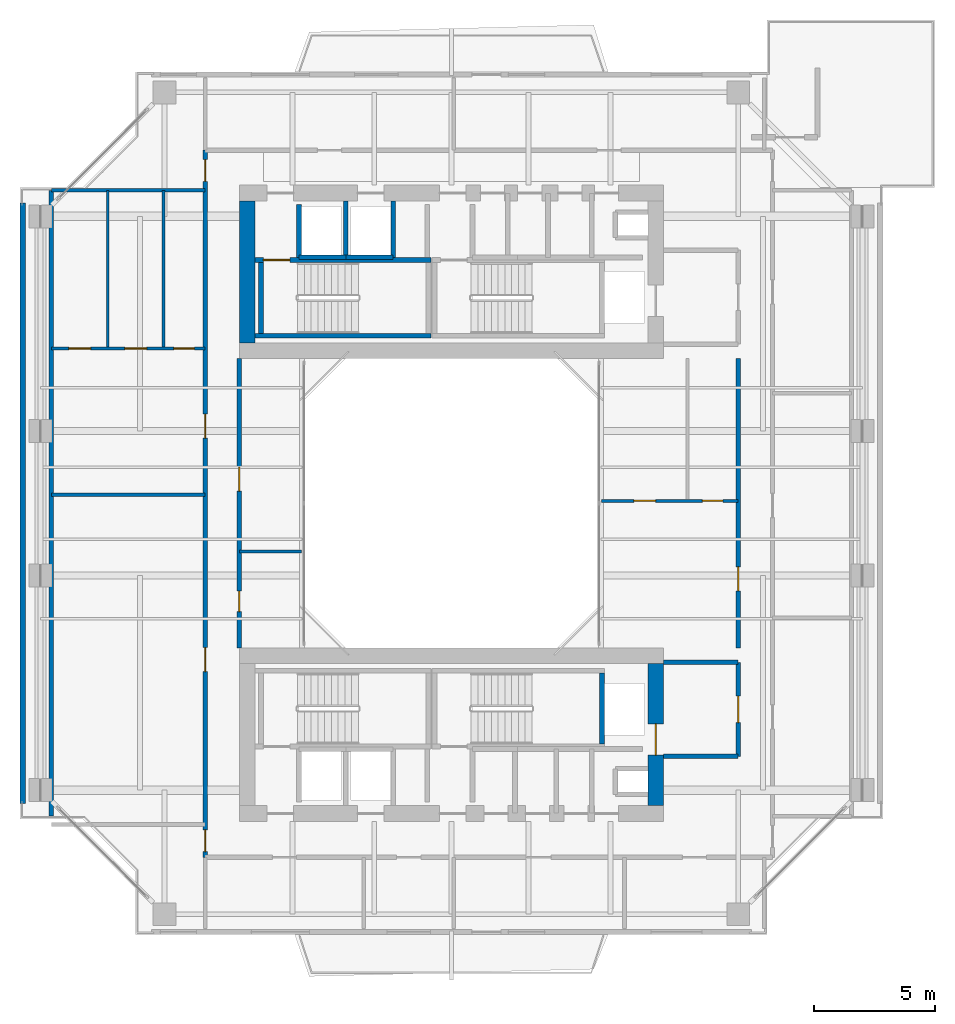
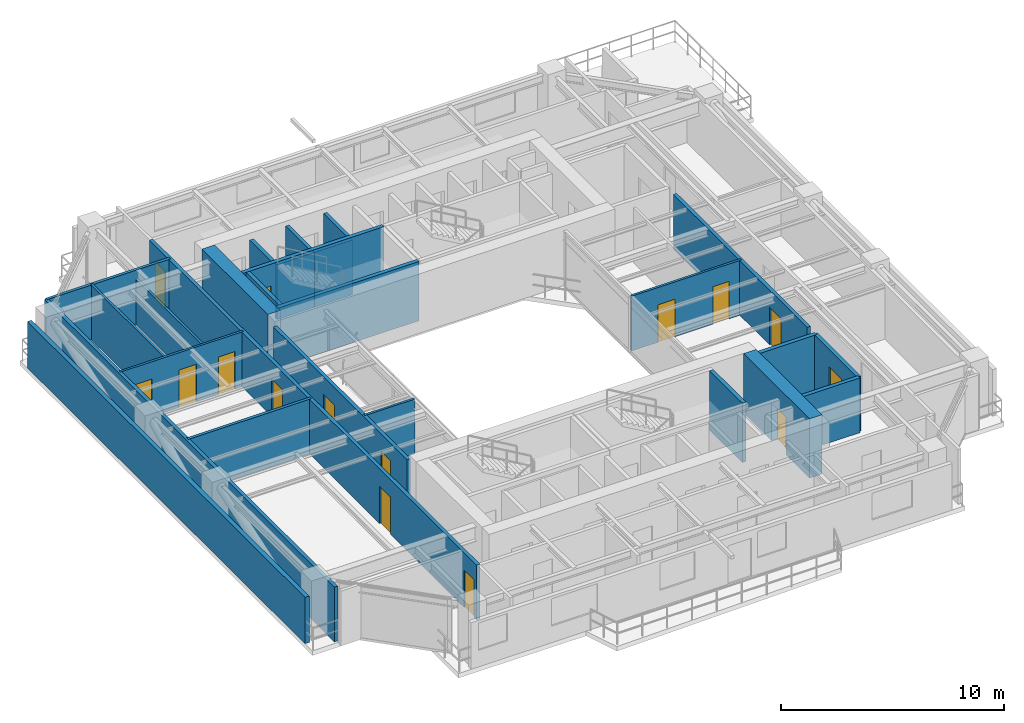
# One storey, part 9 of 14: 26 walls, 15 doors, 15 openings.
"""IFC4 building model written with IfcOpenShell, lengths in metres."""

from ifc_helpers import new_model, si_unit, direction, frame, frame_2d, origin, place, context, subcontext, project, spatial, rectangle, extrude, source, transform, mapped, material, layer, layer_set, type_object, element, fill, save


model = new_model("IFC4")

# Units and contexts
model_context = context("Model", 3, precision=1e-05, world=origin(), true_north=direction((0.0, 1.0)))
body_context = subcontext(model_context, "Body", "Model", "MODEL_VIEW")
ifc_project = project(units=[si_unit("LENGTHUNIT", "METRE"), si_unit("AREAUNIT", "SQUARE_METRE"), si_unit("VOLUMEUNIT", "CUBIC_METRE"), si_unit("PLANEANGLEUNIT", "RADIAN"), si_unit("MASSUNIT", "GRAM", prefix="KILO"), si_unit("THERMODYNAMICTEMPERATUREUNIT", "KELVIN"), si_unit("POWERUNIT", "WATT")], contexts=[model_context])

# Site, building, storey
site_placement = place(None, origin())
site = spatial("IfcSite", under=ifc_project, at=site_placement, CompositionType="ELEMENT")
building_placement = place(site_placement, origin())
building = spatial("IfcBuilding", under=site, at=building_placement, Name="Qiaomeng Ring Towers", CompositionType="ELEMENT")
storey_placement = place(building_placement, frame((0.0, 0.0, 173.0)))
storey = spatial("IfcBuildingStorey", under=building, at=storey_placement, Name="L50", CompositionType="ELEMENT", Elevation=173.0)

# Walls
ifc_material_1 = material(Name="Precast concrete C40", Category="concrete")
ifc_layer_1 = layer(ifc_material_1, 0.219970703125, Name="Precast concrete C40")
ifc_layer_set_1 = layer_set([ifc_layer_1], Name="Precast concrete C40")
wall_type_1 = type_object("IfcWallType", Name="ARC-WL-EW2", PredefinedType="STANDARD", material=ifc_layer_set_1)
wall_1_placement = place(storey_placement, frame((1.2099609375, 10.550048828125, 0.0), z_axis=(0.0, 0.0, 1.0), x_axis=(0.0, 1.0, 0.0)))
element("IfcWall", 1, at=wall_1_placement, inside=storey, type_object=wall_type_1, Name="L50 Tower 1 W Exterior Wall", PredefinedType="STANDARD", context=body_context, shape_type="SweptSolid", body=[
    extrude(rectangle(XDim=24.89990234375, YDim=0.219970703125, at=frame_2d((12.449951171875, 0.0))), origin(), (0.0, 0.0, 1.0), 2.5400390625),
])
ifc_material_2 = material(Name="Autoclaved aerated concrete block", Category="concrete")
ifc_layer_2 = layer(ifc_material_2, 0.199951171875, Name="Autoclaved aerated concrete block")
ifc_layer_set_2 = layer_set([ifc_layer_2], Name="Autoclaved aerated concrete block")
wall_type_2 = type_object("IfcWallType", Name="ARC-WL-PW1", PredefinedType="PARTITIONING", material=ifc_layer_set_2)
for number, where, z_axis, x_axis, name in (
    (2, (27.800048828125, 16.39990234375, 0.0), (0.0, 0.0, 1.0), (1.0, 0.0, 0.0), "L50 Interior Wall PW1"),
    (3, (27.800048828125, 12.5, 0.0), (0.0, 0.0, 1.0), (1.0, 0.0, 0.0), "L50 Interior Wall PW1"),
):
    element("IfcWall", number, at=place(storey_placement, frame(where, z_axis=z_axis, x_axis=x_axis)), inside=storey, type_object=wall_type_2, Name=name, PredefinedType="PARTITIONING", context=body_context, shape_type="SweptSolid", body=[
        extrude(rectangle(XDim=3.099853515625, YDim=0.199951171875, at=frame_2d((1.5498046875, 0.0))), origin(), (0.0, 0.0, 1.0), 3.0),
    ])

# Wall, opening, door
wall_2_placement = place(storey_placement, frame((30.89990234375, 12.5, 0.0), z_axis=(0.0, 0.0, 1.0), x_axis=(0.0, 1.0, 0.0)))
wall_2 = element("IfcWall", 4, at=wall_2_placement, inside=storey, type_object=wall_type_2, Name="L50 Interior Wall PW1", PredefinedType="PARTITIONING", context=body_context, shape_type="SweptSolid", body=[
    extrude(rectangle(XDim=3.89990234375, YDim=0.199951171875, at=frame_2d((1.949951171875, 0.0))), origin(), (0.0, 0.0, 1.0), 3.0),
])
opening_1_placement = place(wall_2_placement, frame((1.39990234375, 0.0, 0.0)))
opening_1 = element("IfcOpeningElement", 5, at=opening_1_placement, cuts=wall_2, Name="Opening FD3", PredefinedType="OPENING", context=body_context, shape_type="SweptSolid", body=[
    extrude(rectangle(XDim=1.10009765625, YDim=2.050048828125, at=frame_2d((0.550048828125, 1.02490234375))), frame((0.0, 0.10986328125, 0.0), z_axis=(0.0, -1.0, 0.0), x_axis=(1.0, 0.0, 0.0)), (0.0, 0.0, 1.0), 0.219970703125),
])
ifc_material_3 = material(Name="Galvanised steel", Category="steel")
door_type_1 = type_object("IfcDoorType", Name="ARC-DR-FD3", OperationType="NOTDEFINED", PredefinedType="DOOR", material=ifc_material_3)
shared_shape_1 = source(origin(), body_context, "Body", "SweptSolid", [
    extrude(rectangle(XDim=1.10009765625, YDim=2.050048828125, at=frame_2d((0.550048828125, 1.02490234375))), frame((0.0, 0.02490234375, 0.0), z_axis=(0.0, -1.0, 0.0), x_axis=(1.0, 0.0, 0.0)), (0.0, 0.0, 1.0), 0.050048828125),
])
door_1_placement = place(opening_1_placement, origin())
door_1 = element("IfcDoor", 6, at=door_1_placement, inside=storey, type_object=door_type_1, Name="L50 South FF Lobby Door", OperationType="SINGLE_SWING_LEFT", OverallHeight=2.050048828125, OverallWidth=1.10009765625, PredefinedType="DOOR", context=body_context, shape_type="MappedRepresentation", body=[
    mapped(shared_shape_1, transform((0.0, 0.0, 0.0), x_axis=(1.0, 0.0, 0.0), y_axis=(0.0, 1.0, 0.0), z_axis=(0.0, 0.0, 1.0), scale=1.0)),
])
fill(opening_1, door_1)

# Walls
wall_3_placement = place(storey_placement, frame((12.679931640625, 33.18994140625, 0.0), z_axis=(0.0, 0.0, 1.0), x_axis=(0.0, 1.0, 0.0)))
element("IfcWall", 7, at=wall_3_placement, inside=storey, type_object=wall_type_2, Name="L50 Interior Wall PW1", PredefinedType="PARTITIONING", context=body_context, shape_type="SweptSolid", body=[
    extrude(rectangle(XDim=2.2099609375, YDim=0.199951171875, at=frame_2d((1.10498046875, 0.0))), origin(), (0.0, 0.0, 1.0), 3.0),
])
ifc_layer_3 = layer(ifc_material_2, 0.179931640625, Name="Autoclaved aerated concrete block")
ifc_layer_set_3 = layer_set([ifc_layer_3], Name="Autoclaved aerated concrete block")
wall_type_3 = type_object("IfcWallType", Name="ARC-WL-PW2", PredefinedType="PARTITIONING", material=ifc_layer_set_3)
wall_4_placement = place(storey_placement, frame((2.39990234375, 10.02001953125, 0.0), z_axis=(0.0, 0.0, 1.0), x_axis=(0.0, 1.0, 0.0)))
element("IfcWall", 8, at=wall_4_placement, inside=storey, type_object=wall_type_3, Name="L50 Interior Wall PW2", PredefinedType="PARTITIONING", context=body_context, shape_type="SweptSolid", body=[
    extrude(rectangle(XDim=25.9599609375, YDim=0.179931640625, at=frame_2d((12.97998046875, 0.0))), origin(), (0.0, 0.0, 1.0), 3.0),
])

# Wall, openings, doors
wall_5_placement = place(storey_placement, frame((8.780029296875, 8.31005859375, 0.0), z_axis=(0.0, 0.0, 1.0), x_axis=(0.0, 1.0, 0.0)))
wall_5 = element("IfcWall", 9, at=wall_5_placement, inside=storey, type_object=wall_type_3, Name="L50 Interior Wall PW2", PredefinedType="PARTITIONING", context=body_context, shape_type="SweptSolid", body=[
    extrude(rectangle(XDim=29.33984375, YDim=0.179931640625, at=frame_2d((14.669921875, 0.0))), origin(), (0.0, 0.0, 1.0), 3.0),
])
opening_2_placement = place(wall_5_placement, frame((28.044921875, 0.0, 0.0)))
opening_2 = element("IfcOpeningElement", 10, at=opening_2_placement, cuts=wall_5, Name="Opening ID1", PredefinedType="OPENING", context=body_context, shape_type="SweptSolid", body=[
    extrude(rectangle(XDim=0.89990234375, YDim=2.050048828125, at=frame_2d((0.449951171875, 1.02490234375))), frame((0.0, 0.099853515625, 0.0), z_axis=(0.0, -1.0, 0.0), x_axis=(1.0, 0.0, 0.0)), (0.0, 0.0, 1.0), 0.199951171875),
])
opening_3_placement = place(wall_5_placement, frame((0.239990234375, 0.0, 0.0)))
opening_3 = element("IfcOpeningElement", 11, at=opening_3_placement, cuts=wall_5, Name="Opening ID1", PredefinedType="OPENING", context=body_context, shape_type="SweptSolid", body=[
    extrude(rectangle(XDim=0.89990234375, YDim=2.050048828125, at=frame_2d((0.449951171875, 1.02490234375))), frame((0.0, 0.099853515625, 0.0), z_axis=(0.0, -1.0, 0.0), x_axis=(1.0, 0.0, 0.0)), (0.0, 0.0, 1.0), 0.199951171875),
])
opening_4_placement = place(wall_5_placement, frame((7.705078125, 0.0, 0.0)))
opening_4 = element("IfcOpeningElement", 12, at=opening_4_placement, cuts=wall_5, Name="Opening FD4", PredefinedType="OPENING", context=body_context, shape_type="SweptSolid", body=[
    extrude(rectangle(XDim=1.0, YDim=2.050048828125, at=frame_2d((0.5, 1.02490234375))), frame((0.0, 0.099853515625, 0.0), z_axis=(0.0, -1.0, 0.0), x_axis=(1.0, 0.0, 0.0)), (0.0, 0.0, 1.0), 0.199951171875),
])
opening_5_placement = place(wall_5_placement, frame((17.389892578125, 0.0, 0.0)))
opening_5 = element("IfcOpeningElement", 13, at=opening_5_placement, cuts=wall_5, Name="Opening FD4", PredefinedType="OPENING", context=body_context, shape_type="SweptSolid", body=[
    extrude(rectangle(XDim=1.0, YDim=2.050048828125, at=frame_2d((0.5, 1.02490234375))), frame((0.0, 0.099853515625, 0.0), z_axis=(0.0, -1.0, 0.0), x_axis=(1.0, 0.0, 0.0)), (0.0, 0.0, 1.0), 0.199951171875),
])
ifc_material_4 = material(Name="Engineered fire-rated oak timber", Category="wood")
door_type_2 = type_object("IfcDoorType", Name="ARC-DR-FD4", OperationType="NOTDEFINED", PredefinedType="DOOR", material=ifc_material_4)
shared_shape_2 = source(origin(), body_context, "Body", "SweptSolid", [
    extrude(rectangle(XDim=1.0, YDim=2.050048828125, at=frame_2d((0.5, 1.02490234375))), frame((0.0, 0.02490234375, 0.0), z_axis=(0.0, -1.0, 0.0), x_axis=(1.0, 0.0, 0.0)), (0.0, 0.0, 1.0), 0.050048828125),
])
door_2_placement = place(opening_4_placement, origin())
door_2 = element("IfcDoor", 14, at=door_2_placement, inside=storey, type_object=door_type_2, Name="L50 Door FD4", OperationType="SINGLE_SWING_RIGHT", OverallHeight=2.050048828125, OverallWidth=1.0, PredefinedType="DOOR", context=body_context, shape_type="MappedRepresentation", body=[
    mapped(shared_shape_2, transform((0.0, 0.0, 0.0), x_axis=(1.0, 0.0, 0.0), y_axis=(0.0, 1.0, 0.0), z_axis=(0.0, 0.0, 1.0), scale=1.0)),
])
fill(opening_4, door_2)
door_3_placement = place(opening_5_placement, origin())
door_3 = element("IfcDoor", 15, at=door_3_placement, inside=storey, type_object=door_type_2, Name="L50 Door FD4", OperationType="SINGLE_SWING_RIGHT", OverallHeight=2.050048828125, OverallWidth=1.0, PredefinedType="DOOR", context=body_context, shape_type="MappedRepresentation", body=[
    mapped(shared_shape_2, transform((0.0, 0.0, 0.0), x_axis=(1.0, 0.0, 0.0), y_axis=(0.0, 1.0, 0.0), z_axis=(0.0, 0.0, 1.0), scale=1.0)),
])
fill(opening_5, door_3)
ifc_material_5 = material(Name="Engineered oak timber", Category="wood")
door_type_3 = type_object("IfcDoorType", Name="ARC-DR-ID1", OperationType="NOTDEFINED", PredefinedType="DOOR", material=ifc_material_5)
shared_shape_3 = source(origin(), body_context, "Body", "SweptSolid", [
    extrude(rectangle(XDim=0.89990234375, YDim=2.050048828125, at=frame_2d((0.449951171875, 1.02490234375))), frame((0.0, 0.02490234375, 0.0), z_axis=(0.0, -1.0, 0.0), x_axis=(1.0, 0.0, 0.0)), (0.0, 0.0, 1.0), 0.050048828125),
])
door_4_placement = place(opening_2_placement, origin())
door_4 = element("IfcDoor", 16, at=door_4_placement, inside=storey, type_object=door_type_3, Name="L50 Door ID1", OperationType="SINGLE_SWING_RIGHT", OverallHeight=2.050048828125, OverallWidth=0.89990234375, PredefinedType="DOOR", context=body_context, shape_type="MappedRepresentation", body=[
    mapped(shared_shape_3, transform((0.0, 0.0, 0.0), x_axis=(1.0, 0.0, 0.0), y_axis=(0.0, 1.0, 0.0), z_axis=(0.0, 0.0, 1.0), scale=1.0)),
])
fill(opening_2, door_4)
door_5_placement = place(opening_3_placement, origin())
door_5 = element("IfcDoor", 17, at=door_5_placement, inside=storey, type_object=door_type_3, Name="L50 Door ID1", OperationType="SINGLE_SWING_LEFT", OverallHeight=2.050048828125, OverallWidth=0.89990234375, PredefinedType="DOOR", context=body_context, shape_type="MappedRepresentation", body=[
    mapped(shared_shape_3, transform((0.0, 0.0, 0.0), x_axis=(1.0, 0.0, 0.0), y_axis=(0.0, 1.0, 0.0), z_axis=(0.0, 0.0, 1.0), scale=1.0)),
])
fill(opening_3, door_5)

wall_6_placement = place(storey_placement, frame((10.199951171875, 17.0, 0.0), z_axis=(0.0, 0.0, 1.0), x_axis=(0.0, 1.0, 0.0)))
wall_6 = element("IfcWall", 18, at=wall_6_placement, inside=storey, type_object=wall_type_3, Name="L50 Interior Wall PW2", PredefinedType="PARTITIONING", context=body_context, shape_type="SweptSolid", body=[
    extrude(rectangle(XDim=12.0, YDim=0.179931640625, at=frame_2d((6.0, 0.0))), origin(), (0.0, 0.0, 1.0), 3.0),
])
opening_6_placement = place(wall_6_placement, frame((1.5, 0.0, 0.0)))
opening_6 = element("IfcOpeningElement", 19, at=opening_6_placement, cuts=wall_6, Name="Opening ID2", PredefinedType="OPENING", context=body_context, shape_type="SweptSolid", body=[
    extrude(rectangle(XDim=0.85009765625, YDim=2.050048828125, at=frame_2d((0.425048828125, 1.02490234375))), frame((0.0, 0.099853515625, 0.0), z_axis=(0.0, -1.0, 0.0), x_axis=(1.0, 0.0, 0.0)), (0.0, 0.0, 1.0), 0.199951171875),
])
opening_7_placement = place(wall_6_placement, frame((6.5, 0.0, 0.0)))
opening_7 = element("IfcOpeningElement", 20, at=opening_7_placement, cuts=wall_6, Name="Opening FD4", PredefinedType="OPENING", context=body_context, shape_type="SweptSolid", body=[
    extrude(rectangle(XDim=1.0, YDim=2.050048828125, at=frame_2d((0.5, 1.02490234375))), frame((0.0, 0.099853515625, 0.0), z_axis=(0.0, -1.0, 0.0), x_axis=(1.0, 0.0, 0.0)), (0.0, 0.0, 1.0), 0.199951171875),
])
door_6_placement = place(opening_7_placement, origin())
door_6 = element("IfcDoor", 21, at=door_6_placement, inside=storey, type_object=door_type_2, Name="L50 Door FD4", OperationType="SINGLE_SWING_RIGHT", OverallHeight=2.050048828125, OverallWidth=1.0, PredefinedType="DOOR", context=body_context, shape_type="MappedRepresentation", body=[
    mapped(shared_shape_2, transform((0.0, 0.0, 0.0), x_axis=(1.0, 0.0, 0.0), y_axis=(0.0, 1.0, 0.0), z_axis=(0.0, 0.0, 1.0), scale=1.0)),
])
fill(opening_7, door_6)
ifc_material_6 = material(Name="Moisture-resistant engineered timber", Category="wood")
door_type_4 = type_object("IfcDoorType", Name="ARC-DR-ID2", OperationType="NOTDEFINED", PredefinedType="DOOR", material=ifc_material_6)
shared_shape_4 = source(origin(), body_context, "Body", "SweptSolid", [
    extrude(rectangle(XDim=0.85009765625, YDim=2.050048828125, at=frame_2d((0.425048828125, 1.02490234375))), frame((0.0, 0.02490234375, 0.0), z_axis=(0.0, -1.0, 0.0), x_axis=(1.0, 0.0, 0.0)), (0.0, 0.0, 1.0), 0.050048828125),
])
door_7_placement = place(opening_6_placement, origin())
door_7 = element("IfcDoor", 22, at=door_7_placement, inside=storey, type_object=door_type_4, Name="L50 Door ID2", OperationType="SINGLE_SWING_LEFT", OverallHeight=2.050048828125, OverallWidth=0.85009765625, PredefinedType="DOOR", context=body_context, shape_type="MappedRepresentation", body=[
    mapped(shared_shape_4, transform((0.0, 0.0, 0.0), x_axis=(1.0, 0.0, 0.0), y_axis=(0.0, 1.0, 0.0), z_axis=(0.0, 0.0, 1.0), scale=1.0)),
])
fill(opening_6, door_7)

# Wall, opening, door
wall_7_placement = place(storey_placement, frame((30.89990234375, 17.0, 0.0), z_axis=(0.0, 0.0, 1.0), x_axis=(0.0, 1.0, 0.0)))
wall_7 = element("IfcWall", 23, at=wall_7_placement, inside=storey, type_object=wall_type_3, Name="L50 Interior Wall PW2", PredefinedType="PARTITIONING", context=body_context, shape_type="SweptSolid", body=[
    extrude(rectangle(XDim=12.0, YDim=0.179931640625, at=frame_2d((6.0, 0.0))), origin(), (0.0, 0.0, 1.0), 3.0),
])
opening_8_placement = place(wall_7_placement, frame((2.360107421875, 0.0, 0.0)))
opening_8 = element("IfcOpeningElement", 24, at=opening_8_placement, cuts=wall_7, Name="Opening FD4", PredefinedType="OPENING", context=body_context, shape_type="SweptSolid", body=[
    extrude(rectangle(XDim=1.0, YDim=2.050048828125, at=frame_2d((0.5, 1.02490234375))), frame((0.0, 0.099853515625, 0.0), z_axis=(0.0, -1.0, 0.0), x_axis=(1.0, 0.0, 0.0)), (0.0, 0.0, 1.0), 0.199951171875),
])
door_8_placement = place(opening_8_placement, origin())
door_8 = element("IfcDoor", 25, at=door_8_placement, inside=storey, type_object=door_type_2, Name="L50 Door FD4", OperationType="SINGLE_SWING_RIGHT", OverallHeight=2.050048828125, OverallWidth=1.0, PredefinedType="DOOR", context=body_context, shape_type="MappedRepresentation", body=[
    mapped(shared_shape_2, transform((0.0, 0.0, 0.0), x_axis=(1.0, 0.0, 0.0), y_axis=(0.0, 1.0, 0.0), z_axis=(0.0, 0.0, 1.0), scale=1.0)),
])
fill(opening_8, door_8)

# Walls
ifc_material_7 = material(Name="Gypsum fireboard steel-stud partition", Category="steel")
ifc_layer_4 = layer(ifc_material_7, 0.14990234375, Name="Gypsum fireboard steel-stud partition")
ifc_layer_set_4 = layer_set([ifc_layer_4], Name="Gypsum fireboard steel-stud partition")
wall_type_4 = type_object("IfcWallType", Name="ARC-WL-PW3", PredefinedType="PARTITIONING", material=ifc_layer_set_4)
for number, where, z_axis, x_axis, name in (
    (26, (2.39990234375, 35.97998046875, 0.0), (0.0, 0.0, 1.0), (1.0, 0.0, 0.0), "L50 Interior Wall PW3"),
    (27, (2.39990234375, 23.360107421875, 0.0), (0.0, 0.0, 1.0), (1.0, 0.0, 0.0), "L50 Interior Wall PW3"),
):
    element("IfcWall", number, at=place(storey_placement, frame(where, z_axis=z_axis, x_axis=x_axis)), inside=storey, type_object=wall_type_4, Name=name, PredefinedType="PARTITIONING", context=body_context, shape_type="SweptSolid", body=[
        extrude(rectangle(XDim=6.380126953125, YDim=0.14990234375, at=frame_2d((3.18994140625, 0.0))), origin(), (0.0, 0.0, 1.0), 3.0),
    ])

# Wall, openings, doors
ifc_material_8 = material(Name="Moisture-resistant gypsum steel-stud partition", Category="steel")
ifc_layer_5 = layer(ifc_material_8, 0.1201171875, Name="Moisture-resistant gypsum steel-stud partition")
ifc_layer_set_5 = layer_set([ifc_layer_5], Name="Moisture-resistant gypsum steel-stud partition")
wall_type_5 = type_object("IfcWallType", Name="ARC-WL-PW4", PredefinedType="PLUMBINGWALL", material=ifc_layer_set_5)
wall_8_placement = place(storey_placement, frame((2.39990234375, 29.419921875, 0.0), z_axis=(0.0, 0.0, 1.0), x_axis=(1.0, 0.0, 0.0)))
wall_8 = element("IfcWall", 28, at=wall_8_placement, inside=storey, type_object=wall_type_5, Name="L50 Interior Wall PW4", PredefinedType="PLUMBINGWALL", context=body_context, shape_type="SweptSolid", body=[
    extrude(rectangle(XDim=6.380126953125, YDim=0.1201171875, at=frame_2d((3.18994140625, 0.0))), origin(), (0.0, 0.0, 1.0), 3.0),
])
opening_9_placement = place(wall_8_placement, frame((0.72998046875, 0.0, 0.0)))
opening_9 = element("IfcOpeningElement", 29, at=opening_9_placement, cuts=wall_8, Name="Opening ID1", PredefinedType="OPENING", context=body_context, shape_type="SweptSolid", body=[
    extrude(rectangle(XDim=0.89990234375, YDim=2.050048828125, at=frame_2d((0.449951171875, 1.02490234375))), frame((0.0, 0.070068359375, 0.0), z_axis=(0.0, -1.0, 0.0), x_axis=(1.0, 0.0, 0.0)), (0.0, 0.0, 1.0), 0.14013671875),
])
opening_10_placement = place(wall_8_placement, frame((3.050048828125, 0.0, 0.0)))
opening_10 = element("IfcOpeningElement", 30, at=opening_10_placement, cuts=wall_8, Name="Opening ID1", PredefinedType="OPENING", context=body_context, shape_type="SweptSolid", body=[
    extrude(rectangle(XDim=0.89990234375, YDim=2.050048828125, at=frame_2d((0.449951171875, 1.02490234375))), frame((0.0, 0.070068359375, 0.0), z_axis=(0.0, -1.0, 0.0), x_axis=(1.0, 0.0, 0.0)), (0.0, 0.0, 1.0), 0.14013671875),
])
opening_11_placement = place(wall_8_placement, frame((5.0849609375, 0.0, 0.0)))
opening_11 = element("IfcOpeningElement", 31, at=opening_11_placement, cuts=wall_8, Name="Opening ID2", PredefinedType="OPENING", context=body_context, shape_type="SweptSolid", body=[
    extrude(rectangle(XDim=0.85009765625, YDim=2.050048828125, at=frame_2d((0.425048828125, 1.02490234375))), frame((0.0, 0.070068359375, 0.0), z_axis=(0.0, -1.0, 0.0), x_axis=(1.0, 0.0, 0.0)), (0.0, 0.0, 1.0), 0.14013671875),
])
door_9_placement = place(opening_11_placement, origin())
door_9 = element("IfcDoor", 32, at=door_9_placement, inside=storey, type_object=door_type_4, Name="L50 Door ID2", OperationType="SINGLE_SWING_LEFT", OverallHeight=2.050048828125, OverallWidth=0.85009765625, PredefinedType="DOOR", context=body_context, shape_type="MappedRepresentation", body=[
    mapped(shared_shape_4, transform((0.0, 0.0, 0.0), x_axis=(1.0, 0.0, 0.0), y_axis=(0.0, 1.0, 0.0), z_axis=(0.0, 0.0, 1.0), scale=1.0)),
])
fill(opening_11, door_9)
door_10_placement = place(opening_9_placement, origin())
door_10 = element("IfcDoor", 33, at=door_10_placement, inside=storey, type_object=door_type_3, Name="L50 Door ID1", OperationType="SINGLE_SWING_LEFT", OverallHeight=2.050048828125, OverallWidth=0.89990234375, PredefinedType="DOOR", context=body_context, shape_type="MappedRepresentation", body=[
    mapped(shared_shape_3, transform((0.0, 0.0, 0.0), x_axis=(1.0, 0.0, 0.0), y_axis=(0.0, 1.0, 0.0), z_axis=(0.0, 0.0, 1.0), scale=1.0)),
])
fill(opening_9, door_10)
door_11_placement = place(opening_10_placement, origin())
door_11 = element("IfcDoor", 34, at=door_11_placement, inside=storey, type_object=door_type_3, Name="L50 Door ID1", OperationType="SINGLE_SWING_RIGHT", OverallHeight=2.050048828125, OverallWidth=0.89990234375, PredefinedType="DOOR", context=body_context, shape_type="MappedRepresentation", body=[
    mapped(shared_shape_3, transform((0.0, 0.0, 0.0), x_axis=(1.0, 0.0, 0.0), y_axis=(0.0, 1.0, 0.0), z_axis=(0.0, 0.0, 1.0), scale=1.0)),
])
fill(opening_10, door_11)

# Walls
wall_9_placement = place(storey_placement, frame((4.739990234375, 29.419921875, 0.0), z_axis=(0.0, 0.0, 1.0), x_axis=(0.0, 1.0, 0.0)))
element("IfcWall", 35, at=wall_9_placement, inside=storey, type_object=wall_type_5, Name="L50 Interior Wall PW4", PredefinedType="PLUMBINGWALL", context=body_context, shape_type="SweptSolid", body=[
    extrude(rectangle(XDim=6.56005859375, YDim=0.1201171875, at=frame_2d((3.280029296875, 0.0))), origin(), (0.0, 0.0, 1.0), 3.0),
])
wall_10_placement = place(storey_placement, frame((7.06005859375, 29.419921875, 0.0), z_axis=(0.0, 0.0, 1.0), x_axis=(0.0, 1.0, 0.0)))
element("IfcWall", 36, at=wall_10_placement, inside=storey, type_object=wall_type_5, Name="L50 Interior Wall PW4", PredefinedType="PLUMBINGWALL", context=body_context, shape_type="SweptSolid", body=[
    extrude(rectangle(XDim=6.56005859375, YDim=0.1201171875, at=frame_2d((3.280029296875, 0.0))), origin(), (0.0, 0.0, 1.0), 2.4951171875),
])
wall_11_placement = place(storey_placement, frame((10.199951171875, 21.0, 0.0), z_axis=(0.0, 0.0, 1.0), x_axis=(1.0, 0.0, 0.0)))
element("IfcWall", 37, at=wall_11_placement, inside=storey, type_object=wall_type_5, Name="L50 Interior Wall PW4", PredefinedType="PLUMBINGWALL", context=body_context, shape_type="SweptSolid", body=[
    extrude(rectangle(XDim=2.580078125, YDim=0.1201171875, at=frame_2d((1.2900390625, 0.0))), origin(), (0.0, 0.0, 1.0), 3.0),
])

# Wall, openings, doors
wall_12_placement = place(storey_placement, frame((25.219970703125, 23.10009765625, 0.0), z_axis=(0.0, 0.0, 1.0), x_axis=(1.0, 0.0, 0.0)))
wall_12 = element("IfcWall", 38, at=wall_12_placement, inside=storey, type_object=wall_type_5, Name="L50 Interior Wall PW4", PredefinedType="PLUMBINGWALL", context=body_context, shape_type="SweptSolid", body=[
    extrude(rectangle(XDim=5.679931640625, YDim=0.1201171875, at=frame_2d((2.83984375, 0.0))), origin(), (0.0, 0.0, 1.0), 3.0),
])
opening_12_placement = place(wall_12_placement, frame((1.35009765625, 0.0, 0.0)))
opening_12 = element("IfcOpeningElement", 39, at=opening_12_placement, cuts=wall_12, Name="Opening ID1", PredefinedType="OPENING", context=body_context, shape_type="SweptSolid", body=[
    extrude(rectangle(XDim=0.89990234375, YDim=2.050048828125, at=frame_2d((0.449951171875, 1.02490234375))), frame((0.0, 0.070068359375, 0.0), z_axis=(0.0, -1.0, 0.0), x_axis=(1.0, 0.0, 0.0)), (0.0, 0.0, 1.0), 0.14013671875),
])
opening_13_placement = place(wall_12_placement, frame((4.195068359375, 0.0, 0.0)))
opening_13 = element("IfcOpeningElement", 40, at=opening_13_placement, cuts=wall_12, Name="Opening ID2", PredefinedType="OPENING", context=body_context, shape_type="SweptSolid", body=[
    extrude(rectangle(XDim=0.85009765625, YDim=2.050048828125, at=frame_2d((0.425048828125, 1.02490234375))), frame((0.0, 0.070068359375, 0.0), z_axis=(0.0, -1.0, 0.0), x_axis=(1.0, 0.0, 0.0)), (0.0, 0.0, 1.0), 0.14013671875),
])
door_12_placement = place(opening_13_placement, origin())
door_12 = element("IfcDoor", 41, at=door_12_placement, inside=storey, type_object=door_type_4, Name="L50 Door ID2", OperationType="SINGLE_SWING_LEFT", OverallHeight=2.050048828125, OverallWidth=0.85009765625, PredefinedType="DOOR", context=body_context, shape_type="MappedRepresentation", body=[
    mapped(shared_shape_4, transform((0.0, 0.0, 0.0), x_axis=(1.0, 0.0, 0.0), y_axis=(0.0, 1.0, 0.0), z_axis=(0.0, 0.0, 1.0), scale=1.0)),
])
fill(opening_13, door_12)
door_13_placement = place(opening_12_placement, origin())
door_13 = element("IfcDoor", 42, at=door_13_placement, inside=storey, type_object=door_type_3, Name="L50 Door ID1", OperationType="SINGLE_SWING_RIGHT", OverallHeight=2.050048828125, OverallWidth=0.89990234375, PredefinedType="DOOR", context=body_context, shape_type="MappedRepresentation", body=[
    mapped(shared_shape_3, transform((0.0, 0.0, 0.0), x_axis=(1.0, 0.0, 0.0), y_axis=(0.0, 1.0, 0.0), z_axis=(0.0, 0.0, 1.0), scale=1.0)),
])
fill(opening_12, door_13)

# Walls
ifc_material_9 = material(Name="Concrete C40", Category="concrete")
ifc_layer_6 = layer(ifc_material_9, 0.199951171875, Name="Concrete C40")
ifc_layer_set_6 = layer_set([ifc_layer_6], Name="Concrete C40")
wall_type_6 = type_object("IfcWallType", Name="STR-WL-STSHAFT", PredefinedType="SHEAR", material=ifc_layer_set_6)
wall_13_placement = place(storey_placement, frame((12.679931640625, 33.199951171875, 0.0), z_axis=(0.0, 0.0, 1.0), x_axis=(1.0, 0.0, 0.0)))
element("IfcWall", 43, at=wall_13_placement, inside=storey, type_object=wall_type_6, Name="L50 Lift LP5 Shaft Back Wall", PredefinedType="SHEAR", context=body_context, shape_type="SweptSolid", body=[
    extrude(rectangle(XDim=1.940185546875, YDim=0.179931640625, at=frame_2d((0.97021484375, 0.0))), origin(), (0.0, 0.0, 1.0), 3.0),
])
wall_14_placement = place(storey_placement, frame((14.6201171875, 33.199951171875, 0.0), z_axis=(0.0, 0.0, 1.0), x_axis=(0.0, 1.0, 0.0)))
element("IfcWall", 44, at=wall_14_placement, inside=storey, type_object=wall_type_6, Name="L50 Lift LP5-LP3 Shaft Divider Wall", PredefinedType="SHEAR", context=body_context, shape_type="SweptSolid", body=[
    extrude(rectangle(XDim=2.35009765625, YDim=0.179931640625, at=frame_2d((1.175048828125, 0.0))), origin(), (0.0, 0.0, 1.0), 3.0),
])
wall_15_placement = place(storey_placement, frame((14.6201171875, 33.199951171875, 0.0), z_axis=(0.0, 0.0, 1.0), x_axis=(1.0, 0.0, 0.0)))
element("IfcWall", 45, at=wall_15_placement, inside=storey, type_object=wall_type_6, Name="L50 Lift LP3 Shaft Back Wall", PredefinedType="SHEAR", context=body_context, shape_type="SweptSolid", body=[
    extrude(rectangle(XDim=1.9599609375, YDim=0.179931640625, at=frame_2d((0.97998046875, 0.0))), origin(), (0.0, 0.0, 1.0), 3.0),
])
wall_16_placement = place(storey_placement, frame((16.580078125, 33.199951171875, 0.0), z_axis=(0.0, 0.0, 1.0), x_axis=(0.0, 1.0, 0.0)))
element("IfcWall", 46, at=wall_16_placement, inside=storey, type_object=wall_type_6, Name="L50 Lift LP3 East Shaft Wall", PredefinedType="SHEAR", context=body_context, shape_type="SweptSolid", body=[
    extrude(rectangle(XDim=2.35009765625, YDim=0.179931640625, at=frame_2d((1.175048828125, 0.0))), origin(), (0.0, 0.0, 1.0), 3.0),
])
wall_17_placement = place(storey_placement, frame((10.85009765625, 29.949951171875, 0.0), z_axis=(0.0, 0.0, 1.0), x_axis=(1.0, 0.0, 0.0)))
element("IfcWall", 47, at=wall_17_placement, inside=storey, type_object=wall_type_6, Name="L50 Stair ST1 South Shaft Shear Wall", PredefinedType="SHEAR", context=body_context, shape_type="SweptSolid", body=[
    extrude(rectangle(XDim=7.2998046875, YDim=0.199951171875, at=frame_2d((3.64990234375, 0.0))), origin(), (0.0, 0.0, 1.0), 3.25),
])

# Wall, opening, door
wall_18_placement = place(storey_placement, frame((10.85009765625, 33.090087890625, 0.0), z_axis=(0.0, 0.0, 1.0), x_axis=(1.0, 0.0, 0.0)))
wall_18 = element("IfcWall", 48, at=wall_18_placement, inside=storey, type_object=wall_type_6, Name="L50 Stair ST1 North Shaft Shear Wall", PredefinedType="SHEAR", context=body_context, shape_type="SweptSolid", body=[
    extrude(rectangle(XDim=7.2998046875, YDim=0.199951171875, at=frame_2d((3.64990234375, 0.0))), origin(), (0.0, 0.0, 1.0), 3.25),
])
opening_14_placement = place(wall_18_placement, frame((0.35009765625, 0.0, 0.0)))
opening_14 = element("IfcOpeningElement", 49, at=opening_14_placement, cuts=wall_18, Name="Opening FD3", PredefinedType="OPENING", context=body_context, shape_type="SweptSolid", body=[
    extrude(rectangle(XDim=1.10009765625, YDim=2.050048828125, at=frame_2d((0.550048828125, 1.02490234375))), frame((0.0, 0.10986328125, 0.0), z_axis=(0.0, -1.0, 0.0), x_axis=(1.0, 0.0, 0.0)), (0.0, 0.0, 1.0), 0.219970703125),
])
door_14_placement = place(opening_14_placement, origin())
door_14 = element("IfcDoor", 50, at=door_14_placement, inside=storey, type_object=door_type_1, Name="L50 Stair ST1 Exit Door", OperationType="SINGLE_SWING_LEFT", OverallHeight=2.050048828125, OverallWidth=1.10009765625, PredefinedType="DOOR", context=body_context, shape_type="MappedRepresentation", body=[
    mapped(shared_shape_1, transform((0.0, 0.0, 0.0), x_axis=(1.0, 0.0, 0.0), y_axis=(0.0, 1.0, 0.0), z_axis=(0.0, 0.0, 1.0), scale=1.0)),
])
fill(opening_14, door_14)

# Walls
for number, where, z_axis, x_axis, name in (
    (51, (11.10009765625, 30.050048828125, 0.0), (0.0, 0.0, 1.0), (0.0, 1.0, 0.0), "L50 Stair ST1 West Shaft Shear Wall"),
    (52, (25.25, 13.010009765625, 0.0), (0.0, 0.0, 1.0), (0.0, 1.0, 0.0), "L50 Stair ST4 East Shaft Shear Wall"),
):
    element("IfcWall", number, at=place(storey_placement, frame(where, z_axis=z_axis, x_axis=x_axis)), inside=storey, type_object=wall_type_6, Name=name, PredefinedType="SHEAR", context=body_context, shape_type="SweptSolid", body=[
        extrude(rectangle(XDim=2.93994140625, YDim=0.199951171875, at=frame_2d((1.469970703125, 0.0))), origin(), (0.0, 0.0, 1.0), 3.25),
    ])
ifc_material_10 = material(Name="Concrete C50", Category="concrete")
ifc_layer_7 = layer(ifc_material_10, 0.64990234375, Name="Concrete C50")
ifc_layer_set_7 = layer_set([ifc_layer_7], Name="Concrete C50")
wall_type_7 = type_object("IfcWallType", Name="STR-WL-SW2B", PredefinedType="SHEAR", material=ifc_layer_set_7)
wall_19_placement = place(storey_placement, frame((10.52490234375, 29.64990234375, 0.0), z_axis=(0.0, 0.0, 1.0), x_axis=(0.0, 1.0, 0.0)))
element("IfcWall", 53, at=wall_19_placement, inside=storey, type_object=wall_type_7, Name="L50 T1NC west core shear wall", PredefinedType="SHEAR", context=body_context, shape_type="SweptSolid", body=[
    extrude(rectangle(XDim=5.900146484375, YDim=0.64990234375, at=frame_2d((2.9501953125, 0.0))), origin(), (0.0, 0.0, 1.0), 3.25),
])

# Wall, opening, door
wall_20_placement = place(storey_placement, frame((27.47509765625, 10.449951171875, 0.0), z_axis=(0.0, 0.0, 1.0), x_axis=(0.0, 1.0, 0.0)))
wall_20 = element("IfcWall", 54, at=wall_20_placement, inside=storey, type_object=wall_type_7, Name="L50 T1SC east core shear wall", PredefinedType="SHEAR", context=body_context, shape_type="SweptSolid", body=[
    extrude(rectangle(XDim=5.900146484375, YDim=0.64990234375, at=frame_2d((2.9501953125, 0.0))), origin(), (0.0, 0.0, 1.0), 3.25),
])
opening_15_placement = place(wall_20_placement, frame((2.10009765625, 0.0, 0.0)))
opening_15 = element("IfcOpeningElement", 55, at=opening_15_placement, cuts=wall_20, Name="Opening LD2", PredefinedType="OPENING", context=body_context, shape_type="SweptSolid", body=[
    extrude(rectangle(XDim=1.300048828125, YDim=2.050048828125, at=frame_2d((0.64990234375, 1.02490234375))), frame((0.0, 0.3349609375, 0.0), z_axis=(0.0, -1.0, 0.0), x_axis=(1.0, 0.0, 0.0)), (0.0, 0.0, 1.0), 0.669921875),
])
ifc_material_11 = material(Name="Stainless steel 316", Category="steel")
door_type_5 = type_object("IfcDoorType", Name="ARC-DR-LD2", OperationType="NOTDEFINED", PredefinedType="DOOR", material=ifc_material_11)
shared_shape_5 = source(origin(), body_context, "Body", "SweptSolid", [
    extrude(rectangle(XDim=1.300048828125, YDim=2.050048828125, at=frame_2d((0.64990234375, 1.02490234375))), frame((0.0, 0.02490234375, 0.0), z_axis=(0.0, -1.0, 0.0), x_axis=(1.0, 0.0, 0.0)), (0.0, 0.0, 1.0), 0.050048828125),
])
door_15_placement = place(opening_15_placement, origin())
door_15 = element("IfcDoor", 56, at=door_15_placement, inside=storey, type_object=door_type_5, Name="L50 Firefighting Lift FL2 Landing Door", OperationType="SLIDING_TO_RIGHT", OverallHeight=2.050048828125, OverallWidth=1.300048828125, PredefinedType="DOOR", context=body_context, shape_type="MappedRepresentation", body=[
    mapped(shared_shape_5, transform((0.0, 0.0, 0.0), x_axis=(1.0, 0.0, 0.0), y_axis=(0.0, 1.0, 0.0), z_axis=(0.0, 0.0, 1.0), scale=1.0)),
])
fill(opening_15, door_15)

save(model, "model.ifc")
